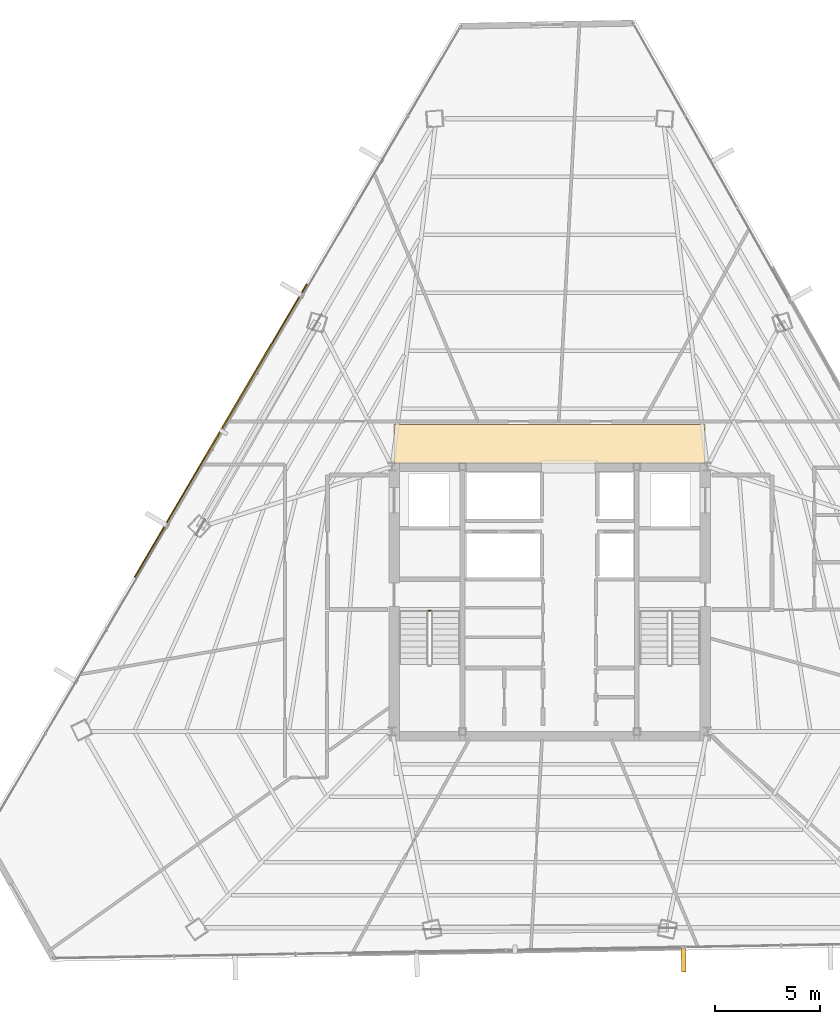
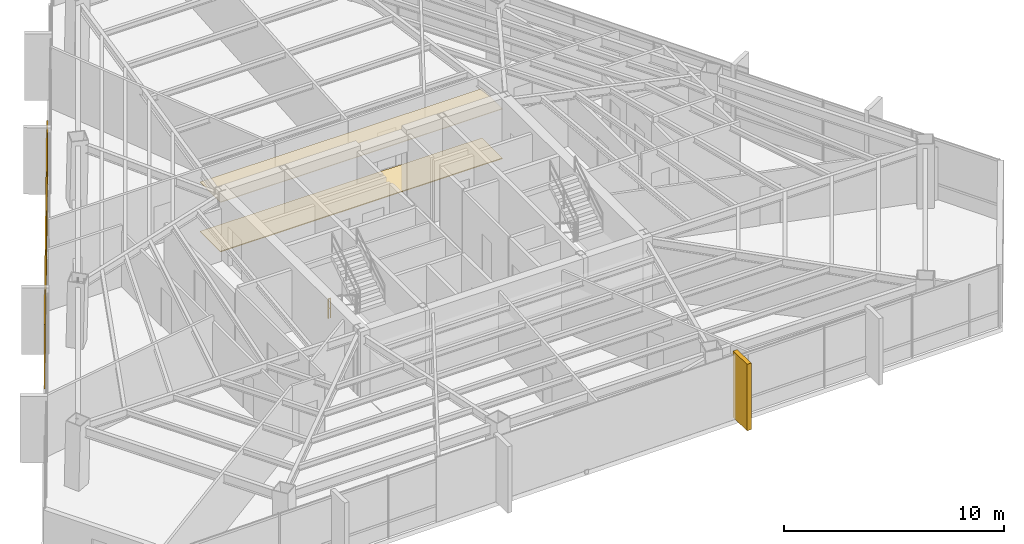
# One storey, part 40 of 42: 3 coverings, 1 railing, 1 shading device.
"""IFC4 building model written with IfcOpenShell, lengths in metres."""

from ifc_helpers import new_model, si_unit, direction, frame, origin, origin_2d, place, context, subcontext, project, spatial, polyline, rectangle, outline, extrude, source, transform, mapped, material, layer, layer_set, type_object, type_shapes, element, save


model = new_model("IFC4")

# Units and contexts
model_context = context("Model", 3, precision=1e-05, world=origin(), true_north=direction((0.0, 1.0)))
body_context = subcontext(model_context, "Body", "Model", "MODEL_VIEW")
ifc_project = project(units=[si_unit("LENGTHUNIT", "METRE"), si_unit("AREAUNIT", "SQUARE_METRE"), si_unit("VOLUMEUNIT", "CUBIC_METRE"), si_unit("PLANEANGLEUNIT", "RADIAN"), si_unit("MASSUNIT", "GRAM", prefix="KILO")], contexts=[model_context])

# Site, building, storey
site_placement = place(None, origin())
site = spatial("IfcSite", under=ifc_project, at=site_placement, CompositionType="ELEMENT")
building_placement = place(site_placement, origin())
building = spatial("IfcBuilding", under=site, at=building_placement, Name="Caelisora Broadcast Tower", CompositionType="ELEMENT")
storey_placement = place(building_placement, frame((0.0, 0.0, 187.699951171875)))
storey = spatial("IfcBuildingStorey", under=building, at=storey_placement, Name="L49", CompositionType="ELEMENT", Elevation=187.699951171875)

# Coverings
ifc_material_1 = material(Name="Perforated Mineral-Fibre Acoustic Ceiling Tile", Category="gypsum")
ifc_layer_1 = layer(ifc_material_1, 0.034912109375, Name="Perforated Mineral-Fibre Acoustic Ceiling Tile")
ifc_layer_set_1 = layer_set([ifc_layer_1], Name="Perforated Mineral-Fibre Acoustic Ceiling Tile")
covering_type_1 = type_object("IfcCoveringType", Name="CE-1", PredefinedType="CEILING", material=ifc_layer_set_1)
covering_1_placement = place(storey_placement, frame((0.0, 0.0, 2.75)))
element("IfcCovering", 1, at=covering_1_placement, inside=storey, type_object=covering_type_1, Name="L49 acoustic corridor ceiling CE-1 (N)", PredefinedType="CEILING", context=body_context, shape_type="SweptSolid", body=[
    extrude(outline(polyline([(30.60009765625, 30.14990234375), (45.39990234375, 30.14990234375), (45.39990234375, 32.0), (30.60009765625, 32.0), (30.60009765625, 30.14990234375)])), origin(), (0.0, 0.0, 1.0), 0.03515625),
])
ifc_material_2 = material(Name="Anti-Static Broadcast Raised Access Floor Panel", Category="steel")
ifc_layer_2 = layer(ifc_material_2, 0.044921875, Name="Anti-Static Broadcast Raised Access Floor Panel")
ifc_layer_set_2 = layer_set([ifc_layer_2], Name="Anti-Static Broadcast Raised Access Floor Panel")
covering_type_2 = type_object("IfcCoveringType", Name="FL-1", PredefinedType="FLOORING", material=ifc_layer_set_2)
covering_2_placement = place(storey_placement, origin())
element("IfcCovering", 2, at=covering_2_placement, inside=storey, type_object=covering_type_2, Name="L49 broadcast raised access floor FL-1 (N)", PredefinedType="FLOORING", context=body_context, shape_type="SweptSolid", body=[
    extrude(outline(polyline([(30.60009765625, 30.14990234375), (45.39990234375, 30.14990234375), (45.39990234375, 32.0), (30.60009765625, 32.0), (30.60009765625, 30.14990234375)])), origin(), (0.0, 0.0, 1.0), 0.045166015625),
])

# Railing
ifc_material_3 = material(Name="Galvanised Steel Safety Guardrail", Category="steel")
ifc_layer_3 = layer(ifc_material_3, 0.048095703125, Name="Galvanised Steel Safety Guardrail")
ifc_layer_set_3 = layer_set([ifc_layer_3], Name="Galvanised Steel Safety Guardrail")
railing_type = type_object("IfcRailingType", Name="GR-1", PredefinedType="GUARDRAIL", material=ifc_layer_set_3)
railing_placement = place(storey_placement, frame((32.219970703125, 23.14990234375, 0.0)))
element("IfcRailing", 3, at=railing_placement, inside=storey, type_object=railing_type, Name="L49 ST-1 stair guard 4", PredefinedType="GUARDRAIL", context=body_context, shape_type="SweptSolid", body=[
    extrude(rectangle(XDim=0.048095703125, YDim=0.048095703125, at=origin_2d()), frame((0.0, 0.0, 1.076171875), z_axis=(1.0, 0.0, 0.0), x_axis=(0.0, 1.0, 0.0)), (0.0, 0.0, 1.0), 0.1201171875),
    extrude(rectangle(XDim=0.03125, YDim=0.03125, at=origin_2d()), frame((0.0, 0.0, 0.550048828125), z_axis=(1.0, 0.0, 0.0), x_axis=(0.0, 1.0, 0.0)), (0.0, 0.0, 1.0), 0.1201171875),
    extrude(rectangle(XDim=0.0419921875, YDim=0.0419921875, at=origin_2d()), origin(), (0.0, 0.0, 1.0), 1.052001953125),
    extrude(rectangle(XDim=0.0419921875, YDim=0.0419921875, at=origin_2d()), frame((0.1201171875, 0.0, 0.0)), (0.0, 0.0, 1.0), 1.052001953125),
])

# Covering
ifc_material_4 = material(Name="Kiln-Fired Terracotta Spandrel Rainscreen Cladding", Category="ceramic")
ifc_layer_4 = layer(ifc_material_4, 0.044921875, Name="Kiln-Fired Terracotta Spandrel Rainscreen Cladding")
ifc_layer_set_4 = layer_set([ifc_layer_4], Name="Kiln-Fired Terracotta Spandrel Rainscreen Cladding")
covering_type_3 = type_object("IfcCoveringType", Name="CL-1", PredefinedType="CLADDING", material=ifc_layer_set_4)
shared_shape_1 = source(origin(), body_context, "Body", "SweptSolid", [
    extrude(rectangle(XDim=0.219970703125, YDim=1.25, at=origin_2d()), origin(), (0.0, 0.0, 1.0), 3.68994140625),
])
type_shapes(covering_type_3, [shared_shape_1])
covering_3_placement = place(storey_placement, frame((44.37109375, 6.5673828125, -0.02001953125), z_axis=(0.0, 0.0, 1.0), x_axis=(-0.999844633908, -0.017626912514, 0.0)))
element("IfcCovering", 4, at=covering_3_placement, inside=storey, type_object=covering_type_3, Name="L49 vertical solar fin cladding #2-2", PredefinedType="CLADDING", context=body_context, shape_type="MappedRepresentation", body=[
    mapped(shared_shape_1, transform((0.0, 0.0, 0.0), scale=1.0)),
])

# Shading device
ifc_material_5 = material(Name="Perforated Glazed Terracotta Baguette Solar Screen", Category="ceramic")
ifc_layer_5 = layer(ifc_material_5, 0.06494140625, Name="Perforated Glazed Terracotta Baguette Solar Screen")
ifc_layer_set_5 = layer_set([ifc_layer_5], Name="Perforated Glazed Terracotta Baguette Solar Screen")
shading_device_type = type_object("IfcShadingDeviceType", Name="SS-1", PredefinedType="USERDEFINED", material=ifc_layer_set_5)
shared_shape_2 = source(origin(), body_context, "Body", "SweptSolid", [
    extrude(rectangle(XDim=16.172119140625, YDim=0.06494140625, at=origin_2d()), origin(), (0.0, 0.0, 1.0), 3.590087890625),
])
type_shapes(shading_device_type, [shared_shape_2])
shading_device_placement = place(storey_placement, frame((22.345947265625, 31.72216796875, 0.0), z_axis=(0.0, 0.0, 1.0), x_axis=(-0.506334807353, -0.862336977557, 0.0)))
element("IfcShadingDevice", 5, at=shading_device_placement, inside=storey, type_object=shading_device_type, Name="L49 perforated terracotta solar screen #1", ObjectType="SOLAR SCREEN", PredefinedType="USERDEFINED", context=body_context, shape_type="MappedRepresentation", body=[
    mapped(shared_shape_2, transform((0.0, 0.0, 0.0), scale=1.0)),
])

save(model, "model.ifc")
